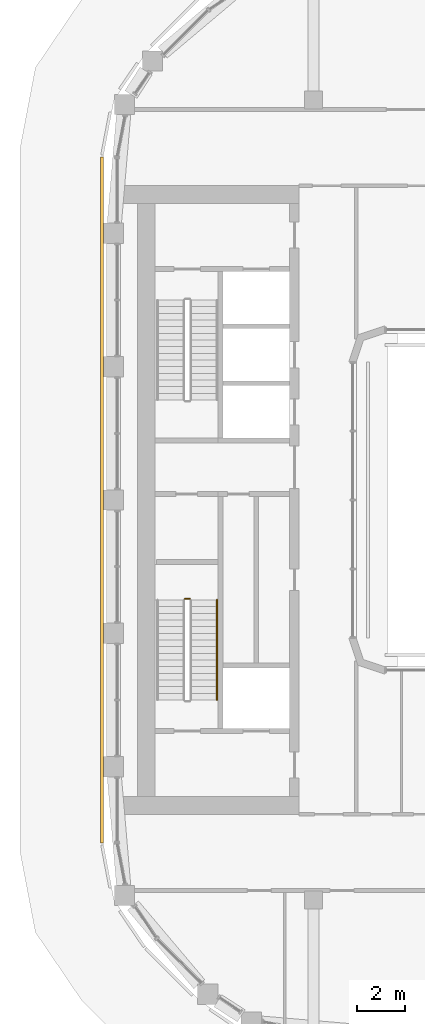
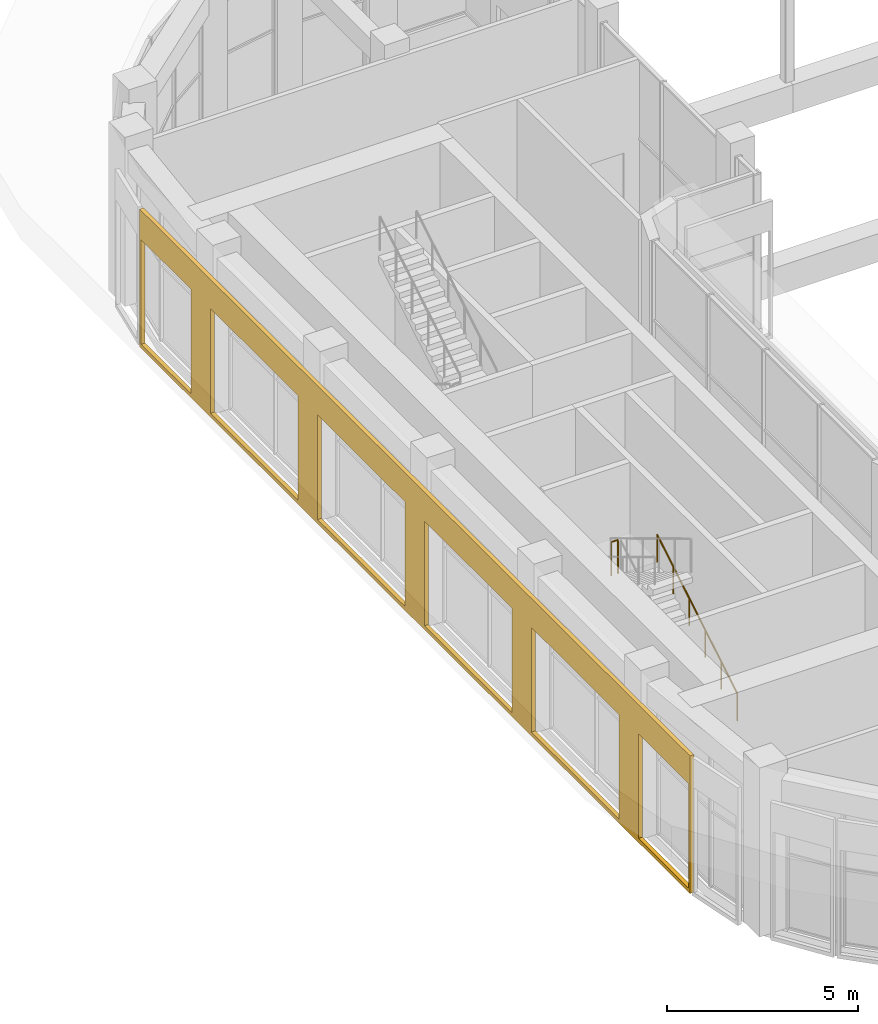
# One storey, part 20 of 26: 2 railings, 1 covering.
"""IFC4 building model written with IfcOpenShell, lengths in metres."""

from ifc_helpers import new_model, si_unit, direction, frame, origin, origin_2d, place, context, subcontext, project, spatial, polyline, circle, outline, extrude, material, layer, layer_set, type_object, element, save


model = new_model("IFC4")

# Units and contexts
model_context = context("Model", 3, precision=1e-05, world=origin(), true_north=direction((0.0, 1.0)))
body_context = subcontext(model_context, "Body", "Model", "MODEL_VIEW")
ifc_project = project(units=[si_unit("LENGTHUNIT", "METRE"), si_unit("AREAUNIT", "SQUARE_METRE"), si_unit("VOLUMEUNIT", "CUBIC_METRE"), si_unit("PLANEANGLEUNIT", "RADIAN"), si_unit("MASSUNIT", "GRAM", prefix="KILO")], contexts=[model_context])

# Site, building, storey
site_placement = place(None, origin())
site = spatial("IfcSite", under=ifc_project, at=site_placement, CompositionType="ELEMENT")
building_placement = place(site_placement, origin())
building = spatial("IfcBuilding", under=site, at=building_placement, Name="Kiln Ring Residences", CompositionType="ELEMENT")
storey_placement = place(building_placement, frame((0.0, 0.0, 230.89990234375)))
storey = spatial("IfcBuildingStorey", under=building, at=storey_placement, Name="L60", CompositionType="ELEMENT", Elevation=230.89990234375)

# Railings
ifc_material_1 = material(Name="Stainless steel", Category="steel")
railing_type_1 = type_object("IfcRailingType", Name="CORE-STAIR-GUARD", PredefinedType="GUARDRAIL", material=ifc_material_1)
railing_1_placement = place(storey_placement, frame((-22.0, -4.14990234375, 2.7001953125)))
element("IfcRailing", 1, at=railing_1_placement, inside=storey, type_object=railing_type_1, Name="L60 W-STS stair guard 2", PredefinedType="GUARDRAIL", context=body_context, shape_type="SweptSolid", body=[
    extrude(circle(Radius=0.02392578125, at=origin_2d()), frame((0.0, 0.0, 1.076171875), z_axis=(-1.0, 0.0, 0.0), x_axis=(0.0, -1.0, 0.0)), (0.0, 0.0, 1.0), 0.199951171875),
    extrude(circle(Radius=0.02099609375, at=origin_2d()), origin(), (0.0, 0.0, 1.0), 1.052001953125),
    extrude(circle(Radius=0.02099609375, at=origin_2d()), frame((-0.199951171875, 0.0, 0.0)), (0.0, 0.0, 1.0), 1.052001953125),
])
ifc_material_2 = material(Name="Stainless steel", Category="steel")
railing_type_2 = type_object("IfcRailingType", Name="CORE-STAIR-HANDRAIL", PredefinedType="HANDRAIL", material=ifc_material_2)
railing_2_placement = place(storey_placement, frame((-20.85009765625, -8.39990234375, 0.1689453125)))
element("IfcRailing", 2, at=railing_2_placement, inside=storey, type_object=railing_type_2, Name="L60 W-STS stair handrail 1", PredefinedType="HANDRAIL", context=body_context, shape_type="SweptSolid", body=[
    extrude(circle(Radius=0.02392578125, at=origin_2d()), frame((0.0, 0.0, 0.8759765625), z_axis=(0.0, 0.856476492594, 0.516186030065), x_axis=(-1.0, 0.0, 0.0)), (0.0, 0.0, 1.0), 4.90380859375),
    extrude(circle(Radius=0.02099609375, at=origin_2d()), origin(), (0.0, 0.0, 1.0), 0.851806640625),
    extrude(circle(Radius=0.02099609375, at=origin_2d()), frame((0.0, 0.840087890625, 0.50634765625)), (0.0, 0.0, 1.0), 0.851806640625),
    extrude(circle(Radius=0.02099609375, at=origin_2d()), frame((0.0, 1.679931640625, 1.012451171875)), (0.0, 0.0, 1.0), 0.851806640625),
    extrude(circle(Radius=0.02099609375, at=origin_2d()), frame((0.0, 2.52001953125, 1.518798828125)), (0.0, 0.0, 1.0), 0.851806640625),
    extrude(circle(Radius=0.02099609375, at=origin_2d()), frame((0.0, 3.35986328125, 2.02490234375)), (0.0, 0.0, 1.0), 0.851806640625),
    extrude(circle(Radius=0.02099609375, at=origin_2d()), frame((0.0, 4.199951171875, 2.53125)), (0.0, 0.0, 1.0), 0.851806640625),
])

# Covering
ifc_material_3 = material(Name="Brick masonry, dark clay brick", Category="masonry")
ifc_layer = layer(ifc_material_3, 0.1201171875)
ifc_layer_set = layer_set([ifc_layer], Name="RAINSCREEN PANEL 120")
covering_type = type_object("IfcCoveringType", Name="RAINSCREEN PANEL 120", PredefinedType="CLADDING", material=ifc_layer_set)
covering_placement = place(storey_placement, frame((-25.68505859375, 14.39990234375, 0.0), z_axis=(0.0, 0.0, 1.0), x_axis=(0.0, -1.0, 0.0)))
element("IfcCovering", 3, at=covering_placement, inside=storey, type_object=covering_type, Name="RAINSCREEN L60", PredefinedType="CLADDING", context=body_context, shape_type="SweptSolid", body=[
    extrude(outline(polyline([(0.0, 0.0), (28.800048828125, 0.0), (28.800048828125, 4.400146484375), (0.0, 4.400146484375), (0.0, 0.0)]), holes=[polyline([(2.695068359375, 0.130126953125), (2.695068359375, 3.47021484375), (0.080078125, 3.47021484375), (0.080078125, 0.130126953125), (2.695068359375, 0.130126953125)]), polyline([(3.705078125, 0.130126953125), (8.294921875, 0.130126953125), (8.294921875, 3.47021484375), (3.705078125, 3.47021484375), (3.705078125, 0.130126953125)]), polyline([(9.304931640625, 0.130126953125), (13.89501953125, 0.130126953125), (13.89501953125, 3.47021484375), (9.304931640625, 3.47021484375), (9.304931640625, 0.130126953125)]), polyline([(19.4951171875, 0.130126953125), (19.4951171875, 3.47021484375), (14.905029296875, 3.47021484375), (14.905029296875, 0.130126953125), (19.4951171875, 0.130126953125)]), polyline([(20.5048828125, 0.130126953125), (25.094970703125, 0.130126953125), (25.094970703125, 3.47021484375), (20.5048828125, 3.47021484375), (20.5048828125, 0.130126953125)]), polyline([(26.10498046875, 0.130126953125), (28.719970703125, 0.130126953125), (28.719970703125, 3.47021484375), (26.10498046875, 3.47021484375), (26.10498046875, 0.130126953125)])]), frame((0.0, 0.06005859375, 0.0), z_axis=(0.0, -1.0, 0.0), x_axis=(1.0, 0.0, 0.0)), (0.0, 0.0, 1.0), 0.1201171875),
])

save(model, "model.ifc")
